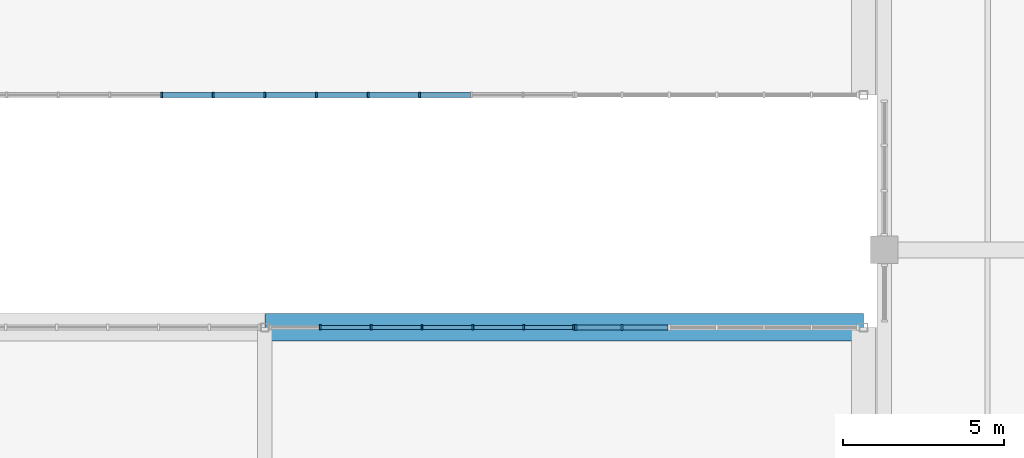
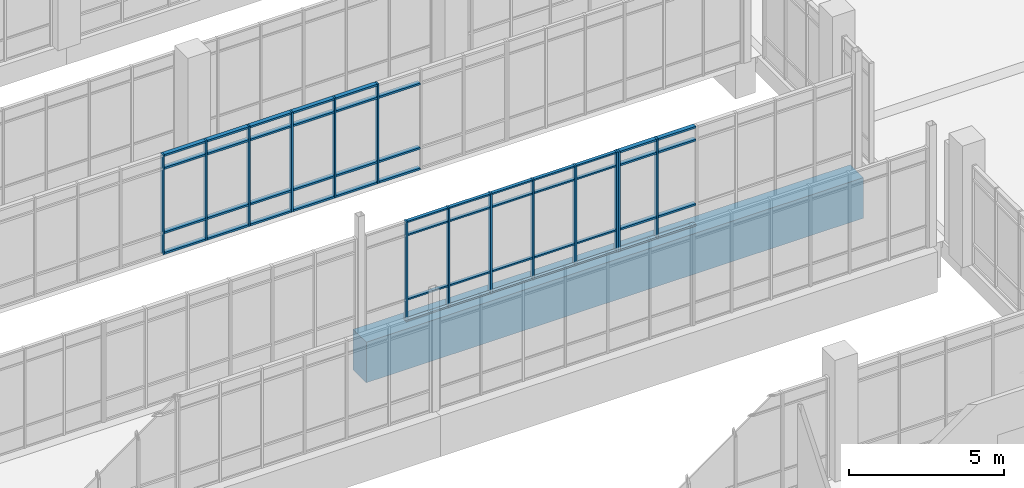
# One storey, part 56 of 152: 65 members, 1 beam, 3 elements without a shape of their own.
"""IFC4 building model written with IfcOpenShell, lengths in metres."""

from ifc_helpers import new_model, si_unit, direction, frame, origin, origin_2d, place, context, subcontext, project, spatial, rectangle, extrude, material, material_profile, profile_set, type_object, element, aggregate, save


model = new_model("IFC4")

# Units and contexts
model_context = context("Model", 3, precision=1e-05, world=origin(), true_north=direction((0.0, 1.0)))
body_context = subcontext(model_context, "Body", "Model", "MODEL_VIEW")
ifc_project = project(units=[si_unit("LENGTHUNIT", "METRE"), si_unit("AREAUNIT", "SQUARE_METRE"), si_unit("VOLUMEUNIT", "CUBIC_METRE"), si_unit("PLANEANGLEUNIT", "RADIAN"), si_unit("MASSUNIT", "GRAM", prefix="KILO")], contexts=[model_context])

# Site, building, storey
site_placement = place(None, origin())
site = spatial("IfcSite", under=ifc_project, at=site_placement, CompositionType="ELEMENT")
building_placement = place(site_placement, origin())
building = spatial("IfcBuilding", under=site, at=building_placement, Name="Oolite Switchyard Hospital", CompositionType="ELEMENT")
storey_placement = place(building_placement, frame((0.0, 0.0, 5.10009765625)))
storey = spatial("IfcBuildingStorey", under=building, at=storey_placement, Name="L01", CompositionType="ELEMENT", Elevation=5.10009765625)

# Beam
ifc_material_1 = material(Name="Concrete C40/50", Category="concrete")
ifc_material_profile_1 = material_profile(ifc_material_1, rectangle(XDim=0.85009765625, YDim=1.60009765625, at=origin_2d()), Name="RCT850X1600")
ifc_profile_set_1 = profile_set([ifc_material_profile_1], Name="Concrete C40/50")
beam_type = type_object("IfcBeamType", Name="BM-TR850X1600", PredefinedType="BEAM", material=ifc_profile_set_1)
beam_placement = place(storey_placement, frame((163.199951171875, 39.60009765625, -0.800048828125), z_axis=(1.0, 0.0, 0.0), x_axis=(0.0, 1.0, 0.0)))
element("IfcBeam", 1, at=beam_placement, inside=storey, type_object=beam_type, Name="L01 X-Girder 83", PredefinedType="BEAM", context=body_context, shape_type="SweptSolid", body=[
    extrude(rectangle(XDim=0.85009765625, YDim=1.60009765625, at=origin_2d()), origin(), (0.0, 0.0, 1.0), 18.550048828125),
])

# Curtain wall, members
ifc_material_2 = material(Name="Thermally broken aluminum frame with laminated impact glazing", Category="aluminium")
curtain_wall_type = type_object("IfcCurtainWallType", Name="CW-BRG-96X38", PredefinedType="USERDEFINED", material=ifc_material_2)
curtain_wall_1_placement = place(storey_placement, origin())
curtain_wall_1 = element("IfcCurtainWall", 2, at=curtain_wall_1_placement, inside=storey, type_object=curtain_wall_type, Name="L01 Unitised Curtain Wall 122", ObjectType="UNITISED", PredefinedType="USERDEFINED")
ifc_material_3 = material(Name="Aluminium 6063-T6", Category="aluminium")
ifc_material_profile_2 = material_profile(ifc_material_3, rectangle(XDim=0.159912109375, YDim=0.06005859375, at=origin_2d()), Name="CWM60X160")
ifc_profile_set_2 = profile_set([ifc_material_profile_2], Name="Aluminium 6063-T6")
member_type_1 = type_object("IfcMemberType", Name="CW-MUL-180", PredefinedType="MULLION", material=ifc_profile_set_2)
member_1_placement = place(storey_placement, frame((164.918212890625, 39.60009765625, 0.0), z_axis=(0.0, 0.0, 1.0), x_axis=(0.0, 1.0, 0.0)))
member_1 = element("IfcMember", 3, at=member_1_placement, type_object=member_type_1, Name="CW-12 mullion 2", PredefinedType="MULLION", context=body_context, shape_type="SweptSolid", body=[
    extrude(rectangle(XDim=0.159912109375, YDim=0.06005859375, at=origin_2d()), origin(), (0.0, 0.0, 1.0), 3.93994140625),
])
member_2_placement = place(storey_placement, frame((166.49462890625, 39.60009765625, 0.0), z_axis=(0.0, 0.0, 1.0), x_axis=(0.0, 1.0, 0.0)))
member_2 = element("IfcMember", 4, at=member_2_placement, type_object=member_type_1, Name="CW-12 mullion 3", PredefinedType="MULLION", context=body_context, shape_type="SweptSolid", body=[
    extrude(rectangle(XDim=0.159912109375, YDim=0.06005859375, at=origin_2d()), origin(), (0.0, 0.0, 1.0), 3.93994140625),
])
member_3_placement = place(storey_placement, frame((168.071044921875, 39.60009765625, 0.0), z_axis=(0.0, 0.0, 1.0), x_axis=(0.0, 1.0, 0.0)))
member_3 = element("IfcMember", 5, at=member_3_placement, type_object=member_type_1, Name="CW-12 mullion 4", PredefinedType="MULLION", context=body_context, shape_type="SweptSolid", body=[
    extrude(rectangle(XDim=0.159912109375, YDim=0.06005859375, at=origin_2d()), origin(), (0.0, 0.0, 1.0), 3.93994140625),
])
member_4_placement = place(storey_placement, frame((169.647216796875, 39.60009765625, 0.0), z_axis=(0.0, 0.0, 1.0), x_axis=(0.0, 1.0, 0.0)))
member_4 = element("IfcMember", 6, at=member_4_placement, type_object=member_type_1, Name="CW-12 mullion 5", PredefinedType="MULLION", context=body_context, shape_type="SweptSolid", body=[
    extrude(rectangle(XDim=0.159912109375, YDim=0.06005859375, at=origin_2d()), origin(), (0.0, 0.0, 1.0), 3.93994140625),
])
member_5_placement = place(storey_placement, frame((171.2236328125, 39.60009765625, 0.0), z_axis=(0.0, 0.0, 1.0), x_axis=(0.0, 1.0, 0.0)))
member_5 = element("IfcMember", 7, at=member_5_placement, type_object=member_type_1, Name="CW-12 mullion 6", PredefinedType="MULLION", context=body_context, shape_type="SweptSolid", body=[
    extrude(rectangle(XDim=0.159912109375, YDim=0.06005859375, at=origin_2d()), origin(), (0.0, 0.0, 1.0), 3.93994140625),
])
member_6_placement = place(storey_placement, frame((172.77001953125, 39.60009765625, 0.0), z_axis=(0.0, 0.0, 1.0), x_axis=(0.0, 1.0, 0.0)))
member_6 = element("IfcMember", 8, at=member_6_placement, type_object=member_type_1, Name="CW-12 mullion 7", PredefinedType="MULLION", context=body_context, shape_type="SweptSolid", body=[
    extrude(rectangle(XDim=0.159912109375, YDim=0.06005859375, at=origin_2d()), origin(), (0.0, 0.0, 1.0), 3.93994140625),
])

curtain_wall_2_placement = place(storey_placement, origin())
curtain_wall_2 = element("IfcCurtainWall", 9, at=curtain_wall_2_placement, inside=storey, type_object=curtain_wall_type, Name="L01 Unitised Curtain Wall 125", ObjectType="UNITISED", PredefinedType="USERDEFINED")
member_7_placement = place(storey_placement, frame((168.0, 46.800048828125, 0.0), z_axis=(0.0, 0.0, 1.0), x_axis=(0.0, -1.0, 0.0)))
member_7 = element("IfcMember", 10, at=member_7_placement, type_object=member_type_1, Name="CW-12 mullion 4", PredefinedType="MULLION", context=body_context, shape_type="SweptSolid", body=[
    extrude(rectangle(XDim=0.159912109375, YDim=0.06005859375, at=origin_2d()), origin(), (0.0, 0.0, 1.0), 3.93994140625),
])
member_8_placement = place(storey_placement, frame((166.39990234375, 46.800048828125, 0.0), z_axis=(0.0, 0.0, 1.0), x_axis=(0.0, -1.0, 0.0)))
member_8 = element("IfcMember", 11, at=member_8_placement, type_object=member_type_1, Name="CW-12 mullion 5", PredefinedType="MULLION", context=body_context, shape_type="SweptSolid", body=[
    extrude(rectangle(XDim=0.159912109375, YDim=0.06005859375, at=origin_2d()), origin(), (0.0, 0.0, 1.0), 3.93994140625),
])
member_9_placement = place(storey_placement, frame((164.800048828125, 46.800048828125, 0.0), z_axis=(0.0, 0.0, 1.0), x_axis=(0.0, -1.0, 0.0)))
member_9 = element("IfcMember", 12, at=member_9_placement, type_object=member_type_1, Name="CW-12 mullion 6", PredefinedType="MULLION", context=body_context, shape_type="SweptSolid", body=[
    extrude(rectangle(XDim=0.159912109375, YDim=0.06005859375, at=origin_2d()), origin(), (0.0, 0.0, 1.0), 3.93994140625),
])
member_10_placement = place(storey_placement, frame((163.199951171875, 46.800048828125, 0.0), z_axis=(0.0, 0.0, 1.0), x_axis=(0.0, -1.0, 0.0)))
member_10 = element("IfcMember", 13, at=member_10_placement, type_object=member_type_1, Name="CW-12 mullion 7", PredefinedType="MULLION", context=body_context, shape_type="SweptSolid", body=[
    extrude(rectangle(XDim=0.159912109375, YDim=0.06005859375, at=origin_2d()), origin(), (0.0, 0.0, 1.0), 3.93994140625),
])
member_11_placement = place(storey_placement, frame((161.60009765625, 46.800048828125, 0.0), z_axis=(0.0, 0.0, 1.0), x_axis=(0.0, -1.0, 0.0)))
member_11 = element("IfcMember", 14, at=member_11_placement, type_object=member_type_1, Name="CW-12 mullion 8", PredefinedType="MULLION", context=body_context, shape_type="SweptSolid", body=[
    extrude(rectangle(XDim=0.159912109375, YDim=0.06005859375, at=origin_2d()), origin(), (0.0, 0.0, 1.0), 3.93994140625),
])
member_12_placement = place(storey_placement, frame((160.0, 46.800048828125, 0.0), z_axis=(0.0, 0.0, 1.0), x_axis=(0.0, -1.0, 0.0)))
member_12 = element("IfcMember", 15, at=member_12_placement, type_object=member_type_1, Name="CW-12 mullion 9", PredefinedType="MULLION", context=body_context, shape_type="SweptSolid", body=[
    extrude(rectangle(XDim=0.159912109375, YDim=0.06005859375, at=origin_2d()), origin(), (0.0, 0.0, 1.0), 3.93994140625),
])

curtain_wall_3_placement = place(storey_placement, origin())
curtain_wall_3 = element("IfcCurtainWall", 16, at=curtain_wall_3_placement, inside=storey, type_object=curtain_wall_type, Name="L01 Unitised Curtain Wall 123", ObjectType="UNITISED", PredefinedType="USERDEFINED")
ifc_material_profile_3 = material_profile(ifc_material_3, rectangle(XDim=0.179931640625, YDim=0.070068359375, at=origin_2d()), Name="CWM70X180")
ifc_profile_set_3 = profile_set([ifc_material_profile_3], Name="Aluminium 6063-T6")
member_type_2 = type_object("IfcMemberType", Name="CW-MUL-220", PredefinedType="MULLION", material=ifc_profile_set_3)
member_13_placement = place(storey_placement, frame((172.8349609375, 39.60009765625, 0.0), z_axis=(0.0, 0.0, 1.0), x_axis=(0.0, 1.0, 0.0)))
member_13 = element("IfcMember", 17, at=member_13_placement, type_object=member_type_2, Name="CW-12 mullion 1", PredefinedType="MULLION", context=body_context, shape_type="SweptSolid", body=[
    extrude(rectangle(XDim=0.179931640625, YDim=0.070068359375, at=origin_2d()), origin(), (0.0, 0.0, 1.0), 3.93994140625),
])
member_14_placement = place(storey_placement, frame((174.26806640625, 39.60009765625, 0.0), z_axis=(0.0, 0.0, 1.0), x_axis=(0.0, 1.0, 0.0)))
member_14 = element("IfcMember", 18, at=member_14_placement, type_object=member_type_2, Name="CW-12 mullion 2", PredefinedType="MULLION", context=body_context, shape_type="SweptSolid", body=[
    extrude(rectangle(XDim=0.179931640625, YDim=0.070068359375, at=origin_2d()), origin(), (0.0, 0.0, 1.0), 3.93994140625),
])

# Member
ifc_material_profile_4 = material_profile(ifc_material_3, rectangle(XDim=0.1201171875, YDim=0.06005859375, at=origin_2d()), Name="CWT60X120")
ifc_profile_set_4 = profile_set([ifc_material_profile_4], Name="Aluminium 6063-T6")
member_type_3 = type_object("IfcMemberType", Name="CW-TRN-150", PredefinedType="USERDEFINED", material=ifc_profile_set_4)
member_15_placement = place(storey_placement, frame((164.9482421875, 39.60009765625, 0.02978515625), z_axis=(1.0, 0.0, 0.0), x_axis=(0.0, 1.0, 0.0)))
member_15 = element("IfcMember", 19, at=member_15_placement, type_object=member_type_3, Name="CW-12 transom 2.1", ObjectType="TRANSOM", PredefinedType="USERDEFINED", context=body_context, shape_type="SweptSolid", body=[
    extrude(rectangle(XDim=0.1201171875, YDim=0.06005859375, at=origin_2d()), origin(), (0.0, 0.0, 1.0), 1.516357421875),
])

member_16_placement = place(storey_placement, frame((164.9482421875, 39.60009765625, 0.849853515625), z_axis=(1.0, 0.0, 0.0), x_axis=(0.0, 1.0, 0.0)))
member_16 = element("IfcMember", 20, at=member_16_placement, type_object=member_type_3, Name="CW-12 transom 2.2", ObjectType="TRANSOM", PredefinedType="USERDEFINED", context=body_context, shape_type="SweptSolid", body=[
    extrude(rectangle(XDim=0.1201171875, YDim=0.06005859375, at=origin_2d()), origin(), (0.0, 0.0, 1.0), 1.516357421875),
])

member_17_placement = place(storey_placement, frame((164.9482421875, 39.60009765625, 3.389892578125), z_axis=(1.0, 0.0, 0.0), x_axis=(0.0, 1.0, 0.0)))
member_17 = element("IfcMember", 21, at=member_17_placement, type_object=member_type_3, Name="CW-12 transom 2.3", ObjectType="TRANSOM", PredefinedType="USERDEFINED", context=body_context, shape_type="SweptSolid", body=[
    extrude(rectangle(XDim=0.1201171875, YDim=0.06005859375, at=origin_2d()), origin(), (0.0, 0.0, 1.0), 1.516357421875),
])

member_18_placement = place(storey_placement, frame((164.9482421875, 39.60009765625, 3.909912109375), z_axis=(1.0, 0.0, 0.0), x_axis=(0.0, 1.0, 0.0)))
member_18 = element("IfcMember", 22, at=member_18_placement, type_object=member_type_3, Name="CW-12 transom 2.4", ObjectType="TRANSOM", PredefinedType="USERDEFINED", context=body_context, shape_type="SweptSolid", body=[
    extrude(rectangle(XDim=0.1201171875, YDim=0.06005859375, at=origin_2d()), origin(), (0.0, 0.0, 1.0), 1.516357421875),
])

member_19_placement = place(storey_placement, frame((166.524658203125, 39.60009765625, 0.02978515625), z_axis=(1.0, 0.0, 0.0), x_axis=(0.0, 1.0, 0.0)))
member_19 = element("IfcMember", 23, at=member_19_placement, type_object=member_type_3, Name="CW-12 transom 3.1", ObjectType="TRANSOM", PredefinedType="USERDEFINED", context=body_context, shape_type="SweptSolid", body=[
    extrude(rectangle(XDim=0.1201171875, YDim=0.06005859375, at=origin_2d()), origin(), (0.0, 0.0, 1.0), 1.516357421875),
])

member_20_placement = place(storey_placement, frame((166.524658203125, 39.60009765625, 0.849853515625), z_axis=(1.0, 0.0, 0.0), x_axis=(0.0, 1.0, 0.0)))
member_20 = element("IfcMember", 24, at=member_20_placement, type_object=member_type_3, Name="CW-12 transom 3.2", ObjectType="TRANSOM", PredefinedType="USERDEFINED", context=body_context, shape_type="SweptSolid", body=[
    extrude(rectangle(XDim=0.1201171875, YDim=0.06005859375, at=origin_2d()), origin(), (0.0, 0.0, 1.0), 1.516357421875),
])

member_21_placement = place(storey_placement, frame((166.524658203125, 39.60009765625, 3.389892578125), z_axis=(1.0, 0.0, 0.0), x_axis=(0.0, 1.0, 0.0)))
member_21 = element("IfcMember", 25, at=member_21_placement, type_object=member_type_3, Name="CW-12 transom 3.3", ObjectType="TRANSOM", PredefinedType="USERDEFINED", context=body_context, shape_type="SweptSolid", body=[
    extrude(rectangle(XDim=0.1201171875, YDim=0.06005859375, at=origin_2d()), origin(), (0.0, 0.0, 1.0), 1.516357421875),
])

member_22_placement = place(storey_placement, frame((166.524658203125, 39.60009765625, 3.909912109375), z_axis=(1.0, 0.0, 0.0), x_axis=(0.0, 1.0, 0.0)))
member_22 = element("IfcMember", 26, at=member_22_placement, type_object=member_type_3, Name="CW-12 transom 3.4", ObjectType="TRANSOM", PredefinedType="USERDEFINED", context=body_context, shape_type="SweptSolid", body=[
    extrude(rectangle(XDim=0.1201171875, YDim=0.06005859375, at=origin_2d()), origin(), (0.0, 0.0, 1.0), 1.516357421875),
])

member_23_placement = place(storey_placement, frame((168.10107421875, 39.60009765625, 0.02978515625), z_axis=(1.0, 0.0, 0.0), x_axis=(0.0, 1.0, 0.0)))
member_23 = element("IfcMember", 27, at=member_23_placement, type_object=member_type_3, Name="CW-12 transom 4.1", ObjectType="TRANSOM", PredefinedType="USERDEFINED", context=body_context, shape_type="SweptSolid", body=[
    extrude(rectangle(XDim=0.1201171875, YDim=0.06005859375, at=origin_2d()), origin(), (0.0, 0.0, 1.0), 1.516357421875),
])

member_24_placement = place(storey_placement, frame((168.10107421875, 39.60009765625, 0.849853515625), z_axis=(1.0, 0.0, 0.0), x_axis=(0.0, 1.0, 0.0)))
member_24 = element("IfcMember", 28, at=member_24_placement, type_object=member_type_3, Name="CW-12 transom 4.2", ObjectType="TRANSOM", PredefinedType="USERDEFINED", context=body_context, shape_type="SweptSolid", body=[
    extrude(rectangle(XDim=0.1201171875, YDim=0.06005859375, at=origin_2d()), origin(), (0.0, 0.0, 1.0), 1.516357421875),
])

member_25_placement = place(storey_placement, frame((168.10107421875, 39.60009765625, 3.389892578125), z_axis=(1.0, 0.0, 0.0), x_axis=(0.0, 1.0, 0.0)))
member_25 = element("IfcMember", 29, at=member_25_placement, type_object=member_type_3, Name="CW-12 transom 4.3", ObjectType="TRANSOM", PredefinedType="USERDEFINED", context=body_context, shape_type="SweptSolid", body=[
    extrude(rectangle(XDim=0.1201171875, YDim=0.06005859375, at=origin_2d()), origin(), (0.0, 0.0, 1.0), 1.516357421875),
])

member_26_placement = place(storey_placement, frame((168.10107421875, 39.60009765625, 3.909912109375), z_axis=(1.0, 0.0, 0.0), x_axis=(0.0, 1.0, 0.0)))
member_26 = element("IfcMember", 30, at=member_26_placement, type_object=member_type_3, Name="CW-12 transom 4.4", ObjectType="TRANSOM", PredefinedType="USERDEFINED", context=body_context, shape_type="SweptSolid", body=[
    extrude(rectangle(XDim=0.1201171875, YDim=0.06005859375, at=origin_2d()), origin(), (0.0, 0.0, 1.0), 1.516357421875),
])

member_27_placement = place(storey_placement, frame((169.67724609375, 39.60009765625, 0.02978515625), z_axis=(1.0, 0.0, 0.0), x_axis=(0.0, 1.0, 0.0)))
member_27 = element("IfcMember", 31, at=member_27_placement, type_object=member_type_3, Name="CW-12 transom 5.1", ObjectType="TRANSOM", PredefinedType="USERDEFINED", context=body_context, shape_type="SweptSolid", body=[
    extrude(rectangle(XDim=0.1201171875, YDim=0.06005859375, at=origin_2d()), origin(), (0.0, 0.0, 1.0), 1.516357421875),
])

member_28_placement = place(storey_placement, frame((169.67724609375, 39.60009765625, 0.849853515625), z_axis=(1.0, 0.0, 0.0), x_axis=(0.0, 1.0, 0.0)))
member_28 = element("IfcMember", 32, at=member_28_placement, type_object=member_type_3, Name="CW-12 transom 5.2", ObjectType="TRANSOM", PredefinedType="USERDEFINED", context=body_context, shape_type="SweptSolid", body=[
    extrude(rectangle(XDim=0.1201171875, YDim=0.06005859375, at=origin_2d()), origin(), (0.0, 0.0, 1.0), 1.516357421875),
])

member_29_placement = place(storey_placement, frame((169.67724609375, 39.60009765625, 3.389892578125), z_axis=(1.0, 0.0, 0.0), x_axis=(0.0, 1.0, 0.0)))
member_29 = element("IfcMember", 33, at=member_29_placement, type_object=member_type_3, Name="CW-12 transom 5.3", ObjectType="TRANSOM", PredefinedType="USERDEFINED", context=body_context, shape_type="SweptSolid", body=[
    extrude(rectangle(XDim=0.1201171875, YDim=0.06005859375, at=origin_2d()), origin(), (0.0, 0.0, 1.0), 1.516357421875),
])

member_30_placement = place(storey_placement, frame((169.67724609375, 39.60009765625, 3.909912109375), z_axis=(1.0, 0.0, 0.0), x_axis=(0.0, 1.0, 0.0)))
member_30 = element("IfcMember", 34, at=member_30_placement, type_object=member_type_3, Name="CW-12 transom 5.4", ObjectType="TRANSOM", PredefinedType="USERDEFINED", context=body_context, shape_type="SweptSolid", body=[
    extrude(rectangle(XDim=0.1201171875, YDim=0.06005859375, at=origin_2d()), origin(), (0.0, 0.0, 1.0), 1.516357421875),
])

member_31_placement = place(storey_placement, frame((171.253662109375, 39.60009765625, 0.02978515625), z_axis=(1.0, 0.0, 0.0), x_axis=(0.0, 1.0, 0.0)))
member_31 = element("IfcMember", 35, at=member_31_placement, type_object=member_type_3, Name="CW-12 transom 6.1", ObjectType="TRANSOM", PredefinedType="USERDEFINED", context=body_context, shape_type="SweptSolid", body=[
    extrude(rectangle(XDim=0.1201171875, YDim=0.06005859375, at=origin_2d()), origin(), (0.0, 0.0, 1.0), 1.486328125),
])

member_32_placement = place(storey_placement, frame((171.253662109375, 39.60009765625, 0.849853515625), z_axis=(1.0, 0.0, 0.0), x_axis=(0.0, 1.0, 0.0)))
member_32 = element("IfcMember", 36, at=member_32_placement, type_object=member_type_3, Name="CW-12 transom 6.2", ObjectType="TRANSOM", PredefinedType="USERDEFINED", context=body_context, shape_type="SweptSolid", body=[
    extrude(rectangle(XDim=0.1201171875, YDim=0.06005859375, at=origin_2d()), origin(), (0.0, 0.0, 1.0), 1.486328125),
])

member_33_placement = place(storey_placement, frame((171.253662109375, 39.60009765625, 3.389892578125), z_axis=(1.0, 0.0, 0.0), x_axis=(0.0, 1.0, 0.0)))
member_33 = element("IfcMember", 37, at=member_33_placement, type_object=member_type_3, Name="CW-12 transom 6.3", ObjectType="TRANSOM", PredefinedType="USERDEFINED", context=body_context, shape_type="SweptSolid", body=[
    extrude(rectangle(XDim=0.1201171875, YDim=0.06005859375, at=origin_2d()), origin(), (0.0, 0.0, 1.0), 1.486328125),
])

member_34_placement = place(storey_placement, frame((171.253662109375, 39.60009765625, 3.909912109375), z_axis=(1.0, 0.0, 0.0), x_axis=(0.0, 1.0, 0.0)))
member_34 = element("IfcMember", 38, at=member_34_placement, type_object=member_type_3, Name="CW-12 transom 6.4", ObjectType="TRANSOM", PredefinedType="USERDEFINED", context=body_context, shape_type="SweptSolid", body=[
    extrude(rectangle(XDim=0.1201171875, YDim=0.06005859375, at=origin_2d()), origin(), (0.0, 0.0, 1.0), 1.486328125),
])

aggregate(curtain_wall_1, [member_1, member_2, member_3, member_4, member_5, member_6, member_15, member_16, member_17, member_18, member_19, member_20, member_21, member_22, member_23, member_24, member_25, member_26, member_27, member_28, member_29, member_30, member_31, member_32, member_33, member_34])

ifc_material_profile_5 = material_profile(ifc_material_3, rectangle(XDim=0.159912109375, YDim=0.074951171875, at=origin_2d()), Name="CWT75X160")
ifc_profile_set_5 = profile_set([ifc_material_profile_5], Name="Aluminium 6063-T6")
member_type_4 = type_object("IfcMemberType", Name="CW-TRN-180", PredefinedType="USERDEFINED", material=ifc_profile_set_5)
member_35_placement = place(storey_placement, frame((172.8701171875, 39.60009765625, 0.037353515625), z_axis=(1.0, 0.0, 0.0), x_axis=(0.0, 1.0, 0.0)))
member_35 = element("IfcMember", 39, at=member_35_placement, type_object=member_type_4, Name="CW-12 transom 1.1", ObjectType="TRANSOM", PredefinedType="USERDEFINED", context=body_context, shape_type="SweptSolid", body=[
    extrude(rectangle(XDim=0.159912109375, YDim=0.074951171875, at=origin_2d()), origin(), (0.0, 0.0, 1.0), 1.36279296875),
])

member_36_placement = place(storey_placement, frame((172.8701171875, 39.60009765625, 0.849853515625), z_axis=(1.0, 0.0, 0.0), x_axis=(0.0, 1.0, 0.0)))
member_36 = element("IfcMember", 40, at=member_36_placement, type_object=member_type_4, Name="CW-12 transom 1.2", ObjectType="TRANSOM", PredefinedType="USERDEFINED", context=body_context, shape_type="SweptSolid", body=[
    extrude(rectangle(XDim=0.159912109375, YDim=0.074951171875, at=origin_2d()), origin(), (0.0, 0.0, 1.0), 1.36279296875),
])

member_37_placement = place(storey_placement, frame((172.8701171875, 39.60009765625, 3.389892578125), z_axis=(1.0, 0.0, 0.0), x_axis=(0.0, 1.0, 0.0)))
member_37 = element("IfcMember", 41, at=member_37_placement, type_object=member_type_4, Name="CW-12 transom 1.3", ObjectType="TRANSOM", PredefinedType="USERDEFINED", context=body_context, shape_type="SweptSolid", body=[
    extrude(rectangle(XDim=0.159912109375, YDim=0.074951171875, at=origin_2d()), origin(), (0.0, 0.0, 1.0), 1.36279296875),
])

member_38_placement = place(storey_placement, frame((172.8701171875, 39.60009765625, 3.90234375), z_axis=(1.0, 0.0, 0.0), x_axis=(0.0, 1.0, 0.0)))
member_38 = element("IfcMember", 42, at=member_38_placement, type_object=member_type_4, Name="CW-12 transom 1.4", ObjectType="TRANSOM", PredefinedType="USERDEFINED", context=body_context, shape_type="SweptSolid", body=[
    extrude(rectangle(XDim=0.159912109375, YDim=0.074951171875, at=origin_2d()), origin(), (0.0, 0.0, 1.0), 1.36279296875),
])

member_39_placement = place(storey_placement, frame((174.302978515625, 39.60009765625, 0.037353515625), z_axis=(1.0, 0.0, 0.0), x_axis=(0.0, 1.0, 0.0)))
member_39 = element("IfcMember", 43, at=member_39_placement, type_object=member_type_4, Name="CW-12 transom 2.1", ObjectType="TRANSOM", PredefinedType="USERDEFINED", context=body_context, shape_type="SweptSolid", body=[
    extrude(rectangle(XDim=0.159912109375, YDim=0.074951171875, at=origin_2d()), origin(), (0.0, 0.0, 1.0), 1.39794921875),
])

member_40_placement = place(storey_placement, frame((174.302978515625, 39.60009765625, 0.849853515625), z_axis=(1.0, 0.0, 0.0), x_axis=(0.0, 1.0, 0.0)))
member_40 = element("IfcMember", 44, at=member_40_placement, type_object=member_type_4, Name="CW-12 transom 2.2", ObjectType="TRANSOM", PredefinedType="USERDEFINED", context=body_context, shape_type="SweptSolid", body=[
    extrude(rectangle(XDim=0.159912109375, YDim=0.074951171875, at=origin_2d()), origin(), (0.0, 0.0, 1.0), 1.39794921875),
])

member_41_placement = place(storey_placement, frame((174.302978515625, 39.60009765625, 3.389892578125), z_axis=(1.0, 0.0, 0.0), x_axis=(0.0, 1.0, 0.0)))
member_41 = element("IfcMember", 45, at=member_41_placement, type_object=member_type_4, Name="CW-12 transom 2.3", ObjectType="TRANSOM", PredefinedType="USERDEFINED", context=body_context, shape_type="SweptSolid", body=[
    extrude(rectangle(XDim=0.159912109375, YDim=0.074951171875, at=origin_2d()), origin(), (0.0, 0.0, 1.0), 1.39794921875),
])

member_42_placement = place(storey_placement, frame((174.302978515625, 39.60009765625, 3.90234375), z_axis=(1.0, 0.0, 0.0), x_axis=(0.0, 1.0, 0.0)))
member_42 = element("IfcMember", 46, at=member_42_placement, type_object=member_type_4, Name="CW-12 transom 2.4", ObjectType="TRANSOM", PredefinedType="USERDEFINED", context=body_context, shape_type="SweptSolid", body=[
    extrude(rectangle(XDim=0.159912109375, YDim=0.074951171875, at=origin_2d()), origin(), (0.0, 0.0, 1.0), 1.39794921875),
])

aggregate(curtain_wall_3, [member_13, member_14, member_35, member_36, member_37, member_38, member_39, member_40, member_41, member_42])

member_43_placement = place(storey_placement, frame((169.570068359375, 46.800048828125, 0.037353515625), z_axis=(-1.0, 0.0, 0.0), x_axis=(0.0, -1.0, 0.0)))
member_43 = element("IfcMember", 47, at=member_43_placement, type_object=member_type_4, Name="CW-12 transom 3.1", ObjectType="TRANSOM", PredefinedType="USERDEFINED", context=body_context, shape_type="SweptSolid", body=[
    extrude(rectangle(XDim=0.159912109375, YDim=0.074951171875, at=origin_2d()), origin(), (0.0, 0.0, 1.0), 1.5400390625),
])

member_44_placement = place(storey_placement, frame((169.570068359375, 46.800048828125, 0.849853515625), z_axis=(-1.0, 0.0, 0.0), x_axis=(0.0, -1.0, 0.0)))
member_44 = element("IfcMember", 48, at=member_44_placement, type_object=member_type_4, Name="CW-12 transom 3.2", ObjectType="TRANSOM", PredefinedType="USERDEFINED", context=body_context, shape_type="SweptSolid", body=[
    extrude(rectangle(XDim=0.159912109375, YDim=0.074951171875, at=origin_2d()), origin(), (0.0, 0.0, 1.0), 1.5400390625),
])

member_45_placement = place(storey_placement, frame((169.570068359375, 46.800048828125, 3.389892578125), z_axis=(-1.0, 0.0, 0.0), x_axis=(0.0, -1.0, 0.0)))
member_45 = element("IfcMember", 49, at=member_45_placement, type_object=member_type_4, Name="CW-12 transom 3.3", ObjectType="TRANSOM", PredefinedType="USERDEFINED", context=body_context, shape_type="SweptSolid", body=[
    extrude(rectangle(XDim=0.159912109375, YDim=0.074951171875, at=origin_2d()), origin(), (0.0, 0.0, 1.0), 1.5400390625),
])

member_46_placement = place(storey_placement, frame((167.969970703125, 46.800048828125, 0.037353515625), z_axis=(-1.0, 0.0, 0.0), x_axis=(0.0, -1.0, 0.0)))
member_46 = element("IfcMember", 50, at=member_46_placement, type_object=member_type_4, Name="CW-12 transom 4.1", ObjectType="TRANSOM", PredefinedType="USERDEFINED", context=body_context, shape_type="SweptSolid", body=[
    extrude(rectangle(XDim=0.159912109375, YDim=0.074951171875, at=origin_2d()), origin(), (0.0, 0.0, 1.0), 1.5400390625),
])

member_47_placement = place(storey_placement, frame((167.969970703125, 46.800048828125, 0.849853515625), z_axis=(-1.0, 0.0, 0.0), x_axis=(0.0, -1.0, 0.0)))
member_47 = element("IfcMember", 51, at=member_47_placement, type_object=member_type_4, Name="CW-12 transom 4.2", ObjectType="TRANSOM", PredefinedType="USERDEFINED", context=body_context, shape_type="SweptSolid", body=[
    extrude(rectangle(XDim=0.159912109375, YDim=0.074951171875, at=origin_2d()), origin(), (0.0, 0.0, 1.0), 1.5400390625),
])

member_48_placement = place(storey_placement, frame((167.969970703125, 46.800048828125, 3.389892578125), z_axis=(-1.0, 0.0, 0.0), x_axis=(0.0, -1.0, 0.0)))
member_48 = element("IfcMember", 52, at=member_48_placement, type_object=member_type_4, Name="CW-12 transom 4.3", ObjectType="TRANSOM", PredefinedType="USERDEFINED", context=body_context, shape_type="SweptSolid", body=[
    extrude(rectangle(XDim=0.159912109375, YDim=0.074951171875, at=origin_2d()), origin(), (0.0, 0.0, 1.0), 1.5400390625),
])

member_49_placement = place(storey_placement, frame((167.969970703125, 46.800048828125, 3.90234375), z_axis=(-1.0, 0.0, 0.0), x_axis=(0.0, -1.0, 0.0)))
member_49 = element("IfcMember", 53, at=member_49_placement, type_object=member_type_4, Name="CW-12 transom 4.4", ObjectType="TRANSOM", PredefinedType="USERDEFINED", context=body_context, shape_type="SweptSolid", body=[
    extrude(rectangle(XDim=0.159912109375, YDim=0.074951171875, at=origin_2d()), origin(), (0.0, 0.0, 1.0), 1.5400390625),
])

member_50_placement = place(storey_placement, frame((166.3701171875, 46.800048828125, 0.037353515625), z_axis=(-1.0, 0.0, 0.0), x_axis=(0.0, -1.0, 0.0)))
member_50 = element("IfcMember", 54, at=member_50_placement, type_object=member_type_4, Name="CW-12 transom 5.1", ObjectType="TRANSOM", PredefinedType="USERDEFINED", context=body_context, shape_type="SweptSolid", body=[
    extrude(rectangle(XDim=0.159912109375, YDim=0.074951171875, at=origin_2d()), origin(), (0.0, 0.0, 1.0), 1.5400390625),
])

member_51_placement = place(storey_placement, frame((166.3701171875, 46.800048828125, 0.849853515625), z_axis=(-1.0, 0.0, 0.0), x_axis=(0.0, -1.0, 0.0)))
member_51 = element("IfcMember", 55, at=member_51_placement, type_object=member_type_4, Name="CW-12 transom 5.2", ObjectType="TRANSOM", PredefinedType="USERDEFINED", context=body_context, shape_type="SweptSolid", body=[
    extrude(rectangle(XDim=0.159912109375, YDim=0.074951171875, at=origin_2d()), origin(), (0.0, 0.0, 1.0), 1.5400390625),
])

member_52_placement = place(storey_placement, frame((166.3701171875, 46.800048828125, 3.389892578125), z_axis=(-1.0, 0.0, 0.0), x_axis=(0.0, -1.0, 0.0)))
member_52 = element("IfcMember", 56, at=member_52_placement, type_object=member_type_4, Name="CW-12 transom 5.3", ObjectType="TRANSOM", PredefinedType="USERDEFINED", context=body_context, shape_type="SweptSolid", body=[
    extrude(rectangle(XDim=0.159912109375, YDim=0.074951171875, at=origin_2d()), origin(), (0.0, 0.0, 1.0), 1.5400390625),
])

member_53_placement = place(storey_placement, frame((166.3701171875, 46.800048828125, 3.90234375), z_axis=(-1.0, 0.0, 0.0), x_axis=(0.0, -1.0, 0.0)))
member_53 = element("IfcMember", 57, at=member_53_placement, type_object=member_type_4, Name="CW-12 transom 5.4", ObjectType="TRANSOM", PredefinedType="USERDEFINED", context=body_context, shape_type="SweptSolid", body=[
    extrude(rectangle(XDim=0.159912109375, YDim=0.074951171875, at=origin_2d()), origin(), (0.0, 0.0, 1.0), 1.5400390625),
])

member_54_placement = place(storey_placement, frame((164.77001953125, 46.800048828125, 0.037353515625), z_axis=(-1.0, 0.0, 0.0), x_axis=(0.0, -1.0, 0.0)))
member_54 = element("IfcMember", 58, at=member_54_placement, type_object=member_type_4, Name="CW-12 transom 6.1", ObjectType="TRANSOM", PredefinedType="USERDEFINED", context=body_context, shape_type="SweptSolid", body=[
    extrude(rectangle(XDim=0.159912109375, YDim=0.074951171875, at=origin_2d()), origin(), (0.0, 0.0, 1.0), 1.5400390625),
])

member_55_placement = place(storey_placement, frame((164.77001953125, 46.800048828125, 0.849853515625), z_axis=(-1.0, 0.0, 0.0), x_axis=(0.0, -1.0, 0.0)))
member_55 = element("IfcMember", 59, at=member_55_placement, type_object=member_type_4, Name="CW-12 transom 6.2", ObjectType="TRANSOM", PredefinedType="USERDEFINED", context=body_context, shape_type="SweptSolid", body=[
    extrude(rectangle(XDim=0.159912109375, YDim=0.074951171875, at=origin_2d()), origin(), (0.0, 0.0, 1.0), 1.5400390625),
])

member_56_placement = place(storey_placement, frame((164.77001953125, 46.800048828125, 3.389892578125), z_axis=(-1.0, 0.0, 0.0), x_axis=(0.0, -1.0, 0.0)))
member_56 = element("IfcMember", 60, at=member_56_placement, type_object=member_type_4, Name="CW-12 transom 6.3", ObjectType="TRANSOM", PredefinedType="USERDEFINED", context=body_context, shape_type="SweptSolid", body=[
    extrude(rectangle(XDim=0.159912109375, YDim=0.074951171875, at=origin_2d()), origin(), (0.0, 0.0, 1.0), 1.5400390625),
])

member_57_placement = place(storey_placement, frame((164.77001953125, 46.800048828125, 3.90234375), z_axis=(-1.0, 0.0, 0.0), x_axis=(0.0, -1.0, 0.0)))
member_57 = element("IfcMember", 61, at=member_57_placement, type_object=member_type_4, Name="CW-12 transom 6.4", ObjectType="TRANSOM", PredefinedType="USERDEFINED", context=body_context, shape_type="SweptSolid", body=[
    extrude(rectangle(XDim=0.159912109375, YDim=0.074951171875, at=origin_2d()), origin(), (0.0, 0.0, 1.0), 1.5400390625),
])

member_58_placement = place(storey_placement, frame((163.169921875, 46.800048828125, 0.037353515625), z_axis=(-1.0, 0.0, 0.0), x_axis=(0.0, -1.0, 0.0)))
member_58 = element("IfcMember", 62, at=member_58_placement, type_object=member_type_4, Name="CW-12 transom 7.1", ObjectType="TRANSOM", PredefinedType="USERDEFINED", context=body_context, shape_type="SweptSolid", body=[
    extrude(rectangle(XDim=0.159912109375, YDim=0.074951171875, at=origin_2d()), origin(), (0.0, 0.0, 1.0), 1.5400390625),
])

member_59_placement = place(storey_placement, frame((163.169921875, 46.800048828125, 0.849853515625), z_axis=(-1.0, 0.0, 0.0), x_axis=(0.0, -1.0, 0.0)))
member_59 = element("IfcMember", 63, at=member_59_placement, type_object=member_type_4, Name="CW-12 transom 7.2", ObjectType="TRANSOM", PredefinedType="USERDEFINED", context=body_context, shape_type="SweptSolid", body=[
    extrude(rectangle(XDim=0.159912109375, YDim=0.074951171875, at=origin_2d()), origin(), (0.0, 0.0, 1.0), 1.5400390625),
])

member_60_placement = place(storey_placement, frame((163.169921875, 46.800048828125, 3.389892578125), z_axis=(-1.0, 0.0, 0.0), x_axis=(0.0, -1.0, 0.0)))
member_60 = element("IfcMember", 64, at=member_60_placement, type_object=member_type_4, Name="CW-12 transom 7.3", ObjectType="TRANSOM", PredefinedType="USERDEFINED", context=body_context, shape_type="SweptSolid", body=[
    extrude(rectangle(XDim=0.159912109375, YDim=0.074951171875, at=origin_2d()), origin(), (0.0, 0.0, 1.0), 1.5400390625),
])

member_61_placement = place(storey_placement, frame((163.169921875, 46.800048828125, 3.90234375), z_axis=(-1.0, 0.0, 0.0), x_axis=(0.0, -1.0, 0.0)))
member_61 = element("IfcMember", 65, at=member_61_placement, type_object=member_type_4, Name="CW-12 transom 7.4", ObjectType="TRANSOM", PredefinedType="USERDEFINED", context=body_context, shape_type="SweptSolid", body=[
    extrude(rectangle(XDim=0.159912109375, YDim=0.074951171875, at=origin_2d()), origin(), (0.0, 0.0, 1.0), 1.5400390625),
])

member_62_placement = place(storey_placement, frame((161.570068359375, 46.800048828125, 0.037353515625), z_axis=(-1.0, 0.0, 0.0), x_axis=(0.0, -1.0, 0.0)))
member_62 = element("IfcMember", 66, at=member_62_placement, type_object=member_type_4, Name="CW-12 transom 8.1", ObjectType="TRANSOM", PredefinedType="USERDEFINED", context=body_context, shape_type="SweptSolid", body=[
    extrude(rectangle(XDim=0.159912109375, YDim=0.074951171875, at=origin_2d()), origin(), (0.0, 0.0, 1.0), 1.5400390625),
])

member_63_placement = place(storey_placement, frame((161.570068359375, 46.800048828125, 0.849853515625), z_axis=(-1.0, 0.0, 0.0), x_axis=(0.0, -1.0, 0.0)))
member_63 = element("IfcMember", 67, at=member_63_placement, type_object=member_type_4, Name="CW-12 transom 8.2", ObjectType="TRANSOM", PredefinedType="USERDEFINED", context=body_context, shape_type="SweptSolid", body=[
    extrude(rectangle(XDim=0.159912109375, YDim=0.074951171875, at=origin_2d()), origin(), (0.0, 0.0, 1.0), 1.5400390625),
])

member_64_placement = place(storey_placement, frame((161.570068359375, 46.800048828125, 3.389892578125), z_axis=(-1.0, 0.0, 0.0), x_axis=(0.0, -1.0, 0.0)))
member_64 = element("IfcMember", 68, at=member_64_placement, type_object=member_type_4, Name="CW-12 transom 8.3", ObjectType="TRANSOM", PredefinedType="USERDEFINED", context=body_context, shape_type="SweptSolid", body=[
    extrude(rectangle(XDim=0.159912109375, YDim=0.074951171875, at=origin_2d()), origin(), (0.0, 0.0, 1.0), 1.5400390625),
])

member_65_placement = place(storey_placement, frame((161.570068359375, 46.800048828125, 3.90234375), z_axis=(-1.0, 0.0, 0.0), x_axis=(0.0, -1.0, 0.0)))
member_65 = element("IfcMember", 69, at=member_65_placement, type_object=member_type_4, Name="CW-12 transom 8.4", ObjectType="TRANSOM", PredefinedType="USERDEFINED", context=body_context, shape_type="SweptSolid", body=[
    extrude(rectangle(XDim=0.159912109375, YDim=0.074951171875, at=origin_2d()), origin(), (0.0, 0.0, 1.0), 1.5400390625),
])

aggregate(curtain_wall_2, [member_7, member_8, member_9, member_10, member_11, member_12, member_43, member_44, member_45, member_46, member_47, member_48, member_49, member_50, member_51, member_52, member_53, member_54, member_55, member_56, member_57, member_58, member_59, member_60, member_61, member_62, member_63, member_64, member_65])

save(model, "model.ifc")
